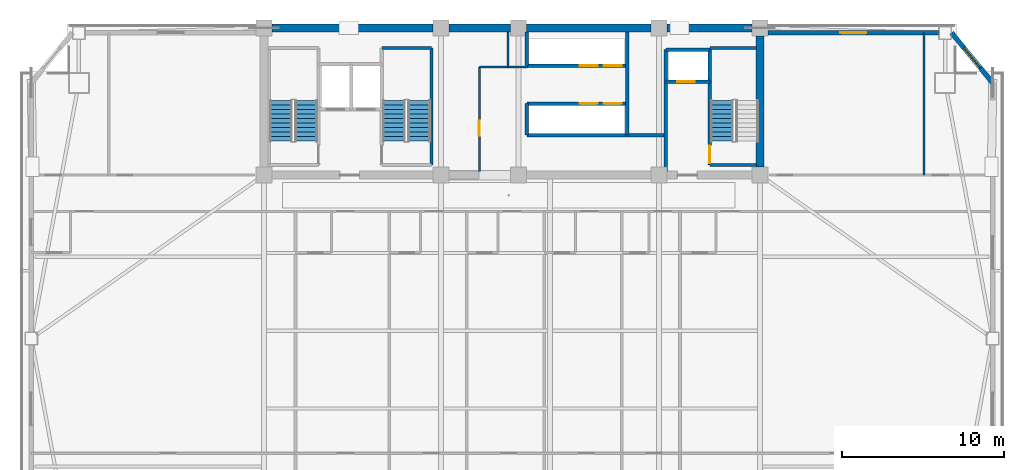
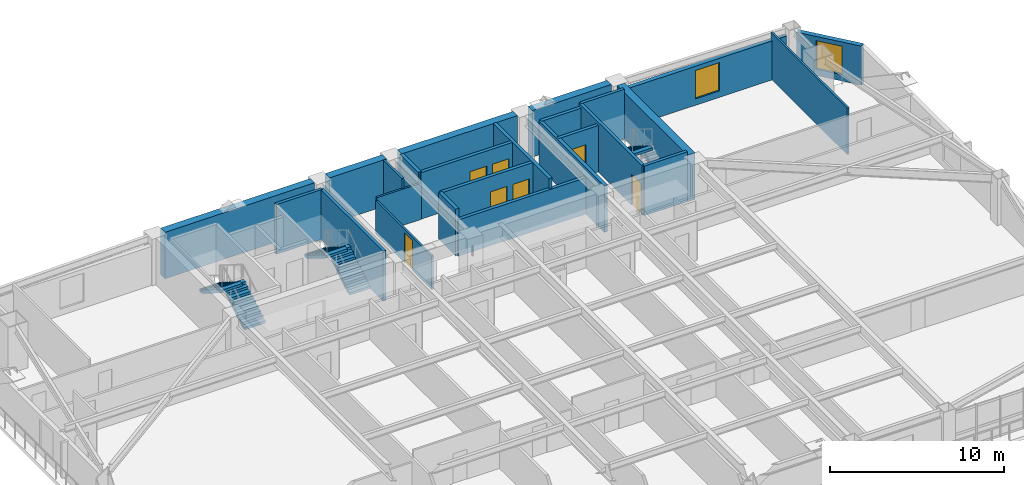
# One storey, part 10 of 15: 25 walls, 7 doors, 5 stair flights, 2 windows, 9 openings, 3 elements without a shape of their own.
"""IFC4 building model written with IfcOpenShell, lengths in metres."""

from ifc_helpers import new_model, si_unit, direction, frame, frame_2d, origin, place, context, subcontext, project, spatial, polyline, rectangle, outline, extrude, source, transform, mapped, material, layer, layer_set, type_object, element, fill, aggregate, save


model = new_model("IFC4")

# Units and contexts
model_context = context("Model", 3, precision=1e-05, world=origin(), true_north=direction((0.0, 1.0)))
body_context = subcontext(model_context, "Body", "Model", "MODEL_VIEW")
ifc_project = project(units=[si_unit("LENGTHUNIT", "METRE"), si_unit("AREAUNIT", "SQUARE_METRE"), si_unit("VOLUMEUNIT", "CUBIC_METRE"), si_unit("PLANEANGLEUNIT", "RADIAN"), si_unit("MASSUNIT", "GRAM", prefix="KILO")], contexts=[model_context])

# Site, building, storey
site_placement = place(None, origin())
site = spatial("IfcSite", under=ifc_project, at=site_placement, CompositionType="ELEMENT")
building_placement = place(site_placement, origin())
building = spatial("IfcBuilding", under=site, at=building_placement, Name="Giltprow Tower", CompositionType="ELEMENT")
storey_placement = place(building_placement, frame((0.0, 0.0, 149.199951171875)))
storey = spatial("IfcBuildingStorey", under=building, at=storey_placement, Name="L36", CompositionType="ELEMENT", Elevation=149.199951171875)

# Wall, opening, window
ifc_material_1 = material(Name="Precast concrete C40", Category="concrete")
ifc_layer_1 = layer(ifc_material_1, 0.300048828125, Name="Precast concrete C40")
ifc_layer_set_1 = layer_set([ifc_layer_1], Name="Precast concrete C40")
wall_type_1 = type_object("IfcWallType", Name="EW-NOTCH-CHAMFER-300", PredefinedType="SOLIDWALL", material=ifc_layer_set_1)
wall_1_placement = place(storey_placement, frame((64.950927734375, 43.160888671875, 0.0), z_axis=(0.0, 0.0, 1.0), x_axis=(-0.63493861858, 0.772562586873, 0.0)))
wall_1 = element("IfcWall", 1, at=wall_1_placement, inside=storey, type_object=wall_type_1, Name="L36 Corner Notch Wall NE", PredefinedType="SOLIDWALL", context=body_context, shape_type="SweptSolid", body=[
    extrude(rectangle(XDim=3.99853515625, YDim=0.300048828125, at=frame_2d((1.999267578125, 0.0))), origin(), (0.0, 0.0, 1.0), 2.75),
])
opening_1_placement = place(wall_1_placement, frame((1.198974609375, 0.0, 0.449951171875)))
opening_1 = element("IfcOpeningElement", 2, at=opening_1_placement, cuts=wall_1, Name="Opening WN17", PredefinedType="OPENING", context=body_context, shape_type="SweptSolid", body=[
    extrude(rectangle(XDim=1.60009765625, YDim=2.0, at=frame_2d((0.800048828125, 1.0))), frame((0.0, 0.159912109375, 0.0), z_axis=(0.0, -1.0, 0.0), x_axis=(1.0, 0.0, 0.0)), (0.0, 0.0, 1.0), 0.320068359375),
])
ifc_material_2 = material(Name="Insulated glass", Category="glass")
window_type = type_object("IfcWindowType", Name="WN-COR-1600x2000", PartitioningType="SINGLE_PANEL", PredefinedType="WINDOW", material=ifc_material_2)
shared_shape_1 = source(origin(), body_context, "Body", "SweptSolid", [
    extrude(rectangle(XDim=1.60009765625, YDim=2.0, at=frame_2d((0.800048828125, 1.0))), frame((0.0, 0.030029296875, 0.0), z_axis=(0.0, -1.0, 0.0), x_axis=(1.0, 0.0, 0.0)), (0.0, 0.0, 1.0), 0.06005859375),
])
window_1_placement = place(opening_1_placement, origin())
window_1 = element("IfcWindow", 3, at=window_1_placement, inside=storey, type_object=window_type, Name="L36 Corner Notch Window NE", OverallHeight=2.0, OverallWidth=1.60009765625, PartitioningType="SINGLE_PANEL", PredefinedType="WINDOW", context=body_context, shape_type="MappedRepresentation", body=[
    mapped(shared_shape_1, transform((0.0, 0.0, 0.0), x_axis=(1.0, 0.0, 0.0), y_axis=(0.0, 1.0, 0.0), z_axis=(0.0, 0.0, 1.0), scale=1.0)),
])
fill(opening_1, window_1)

ifc_layer_2 = layer(ifc_material_1, 0.280029296875, Name="Precast concrete C40")
ifc_layer_set_2 = layer_set([ifc_layer_2], Name="Precast concrete C40")
wall_type_2 = type_object("IfcWallType", Name="EW-TOW-BRONZE-280", PredefinedType="SOLIDWALL", material=ifc_layer_set_2)
wall_2_placement = place(storey_placement, frame((51.050048828125, 46.25, 0.0), z_axis=(0.0, 0.0, 1.0), x_axis=(1.0, 0.0, 0.0)))
wall_2 = element("IfcWall", 4, at=wall_2_placement, inside=storey, type_object=wall_type_2, Name="L36 North-East Wing Wall", PredefinedType="SOLIDWALL", context=body_context, shape_type="SweptSolid", body=[
    extrude(rectangle(XDim=10.56201171875, YDim=0.280029296875, at=frame_2d((5.281005859375, 0.0))), origin(), (0.0, 0.0, 1.0), 2.75),
])
opening_2_placement = place(wall_2_placement, frame((4.48095703125, 0.0, 0.449951171875)))
opening_2 = element("IfcOpeningElement", 5, at=opening_2_placement, cuts=wall_2, Name="Opening WN17", PredefinedType="OPENING", context=body_context, shape_type="SweptSolid", body=[
    extrude(rectangle(XDim=1.60009765625, YDim=2.0, at=frame_2d((0.800048828125, 1.0))), frame((0.0, 0.14990234375, 0.0), z_axis=(0.0, -1.0, 0.0), x_axis=(1.0, 0.0, 0.0)), (0.0, 0.0, 1.0), 0.300048828125),
])
window_2_placement = place(opening_2_placement, origin())
window_2 = element("IfcWindow", 6, at=window_2_placement, inside=storey, type_object=window_type, Name="L36 North-East Window", OverallHeight=2.0, OverallWidth=1.60009765625, PartitioningType="SINGLE_PANEL", PredefinedType="WINDOW", context=body_context, shape_type="MappedRepresentation", body=[
    mapped(shared_shape_1, transform((0.0, 0.0, 0.0), x_axis=(1.0, 0.0, 0.0), y_axis=(0.0, 1.0, 0.0), z_axis=(0.0, 0.0, 1.0), scale=1.0)),
])
fill(opening_2, window_2)

# Wall, opening, door
ifc_material_3 = material(Name="Concrete C40", Category="concrete")
ifc_layer_3 = layer(ifc_material_3, 0.219970703125, Name="Concrete C40")
ifc_layer_set_3 = layer_set([ifc_layer_3], Name="Concrete C40")
wall_type_3 = type_object("IfcWallType", Name="IW-SHAFT-220", PredefinedType="SOLIDWALL", material=ifc_layer_set_3)
wall_3_placement = place(storey_placement, frame((44.719970703125, 43.219970703125, 0.0), z_axis=(0.0, 0.0, 1.0), x_axis=(1.0, 0.0, 0.0)))
wall_3 = element("IfcWall", 7, at=wall_3_placement, inside=storey, type_object=wall_type_3, Name="L36 FFL2 Front Shaft Wall", PredefinedType="SOLIDWALL", context=body_context, shape_type="SweptSolid", body=[
    extrude(rectangle(XDim=2.719970703125, YDim=0.219970703125, at=frame_2d((1.35986328125, 0.0))), origin(), (0.0, 0.0, 1.0), 3.27001953125),
])
opening_3_placement = place(wall_3_placement, frame((0.699951171875, 0.0, 0.0)))
opening_3 = element("IfcOpeningElement", 8, at=opening_3_placement, cuts=wall_3, Name="Opening LD-11", PredefinedType="OPENING", context=body_context, shape_type="SweptSolid", body=[
    extrude(rectangle(XDim=1.10009765625, YDim=2.199951171875, at=frame_2d((0.550048828125, 1.10009765625))), frame((0.0, 0.119873046875, 0.0), z_axis=(0.0, -1.0, 0.0), x_axis=(1.0, 0.0, 0.0)), (0.0, 0.0, 1.0), 0.239990234375),
])
ifc_material_4 = material(Name="Stainless steel", Category="steel")
door_type_1 = type_object("IfcDoorType", Name="DR-LIFT-LD1100", OperationType="SLIDING_TO_LEFT", PredefinedType="DOOR", material=ifc_material_4)
shared_shape_2 = source(origin(), body_context, "Body", "SweptSolid", [
    extrude(rectangle(XDim=1.10009765625, YDim=2.199951171875, at=frame_2d((0.550048828125, 1.10009765625))), frame((0.0, 0.02490234375, 0.0), z_axis=(0.0, -1.0, 0.0), x_axis=(1.0, 0.0, 0.0)), (0.0, 0.0, 1.0), 0.050048828125),
])
door_1_placement = place(opening_3_placement, origin())
door_1 = element("IfcDoor", 9, at=door_1_placement, inside=storey, type_object=door_type_1, Name="L36 FFL2 Landing Door", OperationType="SLIDING_TO_LEFT", OverallHeight=2.199951171875, OverallWidth=1.10009765625, PredefinedType="DOOR", context=body_context, shape_type="MappedRepresentation", body=[
    mapped(shared_shape_2, transform((0.0, 0.0, 0.0), x_axis=(1.0, 0.0, 0.0), y_axis=(0.0, 1.0, 0.0), z_axis=(0.0, 0.0, 1.0), scale=1.0)),
])
fill(opening_3, door_1)

# Walls
wall_4_placement = place(storey_placement, frame((44.719970703125, 45.219970703125, 0.0), z_axis=(0.0, 0.0, 1.0), x_axis=(1.0, 0.0, 0.0)))
element("IfcWall", 10, at=wall_4_placement, inside=storey, type_object=wall_type_3, Name="L36 FFL2 Back Shaft Wall", PredefinedType="SOLIDWALL", context=body_context, shape_type="SweptSolid", body=[
    extrude(rectangle(XDim=2.719970703125, YDim=0.219970703125, at=frame_2d((1.35986328125, 0.0))), origin(), (0.0, 0.0, 1.0), 3.27001953125),
])
wall_5_placement = place(storey_placement, frame((44.719970703125, 37.679931640625, 0.0), z_axis=(0.0, 0.0, 1.0), x_axis=(0.0, 1.0, 0.0)))
element("IfcWall", 11, at=wall_5_placement, inside=storey, type_object=wall_type_3, Name="L36 East Firefighting Lobby West Wall", PredefinedType="SOLIDWALL", context=body_context, shape_type="SweptSolid", body=[
    extrude(rectangle(XDim=7.5400390625, YDim=0.219970703125, at=frame_2d((3.77001953125, 0.0))), origin(), (0.0, 0.0, 1.0), 3.27001953125),
])

# Wall, openings, doors
wall_6_placement = place(storey_placement, frame((36.1201171875, 44.219970703125, 0.0), z_axis=(0.0, 0.0, 1.0), x_axis=(1.0, 0.0, 0.0)))
wall_6 = element("IfcWall", 12, at=wall_6_placement, inside=storey, type_object=wall_type_3, Name="L36 Mid-Rise Lift Shaft Front Wall N", PredefinedType="SOLIDWALL", context=body_context, shape_type="SweptSolid", body=[
    extrude(rectangle(XDim=6.199951171875, YDim=0.219970703125, at=frame_2d((3.10009765625, 0.0))), origin(), (0.0, 0.0, 1.0), 3.27001953125),
])
opening_4_placement = place(wall_6_placement, frame((3.280029296875, 0.0, 0.0)))
opening_4 = element("IfcOpeningElement", 13, at=opening_4_placement, cuts=wall_6, Name="Opening LD-11", PredefinedType="OPENING", context=body_context, shape_type="SweptSolid", body=[
    extrude(rectangle(XDim=1.10009765625, YDim=2.199951171875, at=frame_2d((0.550048828125, 1.10009765625))), frame((0.0, 0.119873046875, 0.0), z_axis=(0.0, -1.0, 0.0), x_axis=(1.0, 0.0, 0.0)), (0.0, 0.0, 1.0), 0.239990234375),
])
opening_5_placement = place(wall_6_placement, frame((4.77001953125, 0.0, 0.0)))
opening_5 = element("IfcOpeningElement", 14, at=opening_5_placement, cuts=wall_6, Name="Opening LD-11", PredefinedType="OPENING", context=body_context, shape_type="SweptSolid", body=[
    extrude(rectangle(XDim=1.10009765625, YDim=2.199951171875, at=frame_2d((0.550048828125, 1.10009765625))), frame((0.0, 0.119873046875, 0.0), z_axis=(0.0, -1.0, 0.0), x_axis=(1.0, 0.0, 0.0)), (0.0, 0.0, 1.0), 0.239990234375),
])
door_2_placement = place(opening_4_placement, origin())
door_2 = element("IfcDoor", 15, at=door_2_placement, inside=storey, type_object=door_type_1, Name="L36 PL-M1 Landing Door", OperationType="SLIDING_TO_LEFT", OverallHeight=2.199951171875, OverallWidth=1.10009765625, PredefinedType="DOOR", context=body_context, shape_type="MappedRepresentation", body=[
    mapped(shared_shape_2, transform((0.0, 0.0, 0.0), x_axis=(1.0, 0.0, 0.0), y_axis=(0.0, 1.0, 0.0), z_axis=(0.0, 0.0, 1.0), scale=1.0)),
])
fill(opening_4, door_2)
door_3_placement = place(opening_5_placement, origin())
door_3 = element("IfcDoor", 16, at=door_3_placement, inside=storey, type_object=door_type_1, Name="L36 PL-M2 Landing Door", OperationType="SLIDING_TO_LEFT", OverallHeight=2.199951171875, OverallWidth=1.10009765625, PredefinedType="DOOR", context=body_context, shape_type="MappedRepresentation", body=[
    mapped(shared_shape_2, transform((0.0, 0.0, 0.0), x_axis=(1.0, 0.0, 0.0), y_axis=(0.0, 1.0, 0.0), z_axis=(0.0, 0.0, 1.0), scale=1.0)),
])
fill(opening_5, door_3)

wall_7_placement = place(storey_placement, frame((36.1201171875, 41.8798828125, 0.0), z_axis=(0.0, 0.0, 1.0), x_axis=(1.0, 0.0, 0.0)))
wall_7 = element("IfcWall", 17, at=wall_7_placement, inside=storey, type_object=wall_type_3, Name="L36 Mid-Rise Lift Shaft Front Wall S", PredefinedType="SOLIDWALL", context=body_context, shape_type="SweptSolid", body=[
    extrude(rectangle(XDim=6.199951171875, YDim=0.219970703125, at=frame_2d((3.10009765625, 0.0))), origin(), (0.0, 0.0, 1.0), 3.27001953125),
])
opening_6_placement = place(wall_7_placement, frame((3.280029296875, 0.0, 0.0)))
opening_6 = element("IfcOpeningElement", 18, at=opening_6_placement, cuts=wall_7, Name="Opening LD-11", PredefinedType="OPENING", context=body_context, shape_type="SweptSolid", body=[
    extrude(rectangle(XDim=1.10009765625, YDim=2.199951171875, at=frame_2d((0.550048828125, 1.10009765625))), frame((0.0, 0.119873046875, 0.0), z_axis=(0.0, -1.0, 0.0), x_axis=(1.0, 0.0, 0.0)), (0.0, 0.0, 1.0), 0.239990234375),
])
opening_7_placement = place(wall_7_placement, frame((4.77001953125, 0.0, 0.0)))
opening_7 = element("IfcOpeningElement", 19, at=opening_7_placement, cuts=wall_7, Name="Opening LD-11", PredefinedType="OPENING", context=body_context, shape_type="SweptSolid", body=[
    extrude(rectangle(XDim=1.10009765625, YDim=2.199951171875, at=frame_2d((0.550048828125, 1.10009765625))), frame((0.0, 0.119873046875, 0.0), z_axis=(0.0, -1.0, 0.0), x_axis=(1.0, 0.0, 0.0)), (0.0, 0.0, 1.0), 0.239990234375),
])
door_4_placement = place(opening_6_placement, origin())
door_4 = element("IfcDoor", 20, at=door_4_placement, inside=storey, type_object=door_type_1, Name="L36 PL-M3 Landing Door", OperationType="SLIDING_TO_LEFT", OverallHeight=2.199951171875, OverallWidth=1.10009765625, PredefinedType="DOOR", context=body_context, shape_type="MappedRepresentation", body=[
    mapped(shared_shape_2, transform((0.0, 0.0, 0.0), x_axis=(1.0, 0.0, 0.0), y_axis=(0.0, 1.0, 0.0), z_axis=(0.0, 0.0, 1.0), scale=1.0)),
])
fill(opening_6, door_4)
door_5_placement = place(opening_7_placement, origin())
door_5 = element("IfcDoor", 21, at=door_5_placement, inside=storey, type_object=door_type_1, Name="L36 PL-M4 Landing Door", OperationType="SLIDING_TO_LEFT", OverallHeight=2.199951171875, OverallWidth=1.10009765625, PredefinedType="DOOR", context=body_context, shape_type="MappedRepresentation", body=[
    mapped(shared_shape_2, transform((0.0, 0.0, 0.0), x_axis=(1.0, 0.0, 0.0), y_axis=(0.0, 1.0, 0.0), z_axis=(0.0, 0.0, 1.0), scale=1.0)),
])
fill(opening_7, door_5)

# Walls
wall_8_placement = place(storey_placement, frame((36.1201171875, 39.919921875, 0.0), z_axis=(0.0, 0.0, 1.0), x_axis=(1.0, 0.0, 0.0)))
element("IfcWall", 22, at=wall_8_placement, inside=storey, type_object=wall_type_3, Name="L36 Mid-Rise South Lift Back Wall", PredefinedType="SOLIDWALL", context=body_context, shape_type="SweptSolid", body=[
    extrude(rectangle(XDim=8.599853515625, YDim=0.219970703125, at=frame_2d((4.2998046875, 0.0))), origin(), (0.0, 0.0, 1.0), 2.554931640625),
])
wall_9_placement = place(storey_placement, frame((42.320068359375, 39.919921875, 0.0), z_axis=(0.0, 0.0, 1.0), x_axis=(0.0, 1.0, 0.0)))
element("IfcWall", 23, at=wall_9_placement, inside=storey, type_object=wall_type_3, Name="L36 Mid-Rise Lift Bank East Closure", PredefinedType="SOLIDWALL", context=body_context, shape_type="SweptSolid", body=[
    extrude(rectangle(XDim=6.400146484375, YDim=0.219970703125, at=frame_2d((3.2001953125, 0.0))), origin(), (0.0, 0.0, 1.0), 3.27001953125),
])
wall_10_placement = place(storey_placement, frame((36.1201171875, 39.919921875, 0.0), z_axis=(0.0, 0.0, 1.0), x_axis=(0.0, 1.0, 0.0)))
element("IfcWall", 24, at=wall_10_placement, inside=storey, type_object=wall_type_3, Name="L36 Mid-Rise South Lift West Closure", PredefinedType="SOLIDWALL", context=body_context, shape_type="SweptSolid", body=[
    extrude(rectangle(XDim=1.9599609375, YDim=0.219970703125, at=frame_2d((0.97998046875, 0.0))), origin(), (0.0, 0.0, 1.0), 3.27001953125),
])
wall_11_placement = place(storey_placement, frame((36.1201171875, 44.219970703125, 0.0), z_axis=(0.0, 0.0, 1.0), x_axis=(0.0, 1.0, 0.0)))
element("IfcWall", 25, at=wall_11_placement, inside=storey, type_object=wall_type_3, Name="L36 Mid-Rise North Lift West Closure", PredefinedType="SOLIDWALL", context=body_context, shape_type="SweptSolid", body=[
    extrude(rectangle(XDim=2.10009765625, YDim=0.219970703125, at=frame_2d((1.050048828125, 0.0))), origin(), (0.0, 0.0, 1.0), 3.27001953125),
])
ifc_layer_4 = layer(ifc_material_3, 0.199951171875, Name="Concrete C40")
ifc_layer_set_4 = layer_set([ifc_layer_4], Name="Concrete C40")
wall_type_4 = type_object("IfcWallType", Name="IW-STAIR-200", PredefinedType="SOLIDWALL", material=ifc_layer_set_4)
wall_12_placement = place(storey_placement, frame((30.219970703125, 38.070068359375, 0.0), z_axis=(0.0, 0.0, 1.0), x_axis=(0.0, 1.0, 0.0)))
element("IfcWall", 26, at=wall_12_placement, inside=storey, type_object=wall_type_4, Name="L36 Stair ST-2 East Bearing Wall", PredefinedType="SOLIDWALL", context=body_context, shape_type="SweptSolid", body=[
    extrude(rectangle(XDim=7.25, YDim=0.199951171875, at=frame_2d((3.625, 0.0))), origin(), (0.0, 0.0, 1.0), 3.5),
])
wall_13_placement = place(storey_placement, frame((27.139892578125, 45.320068359375, 0.0), z_axis=(0.0, 0.0, 1.0), x_axis=(1.0, 0.0, 0.0)))
element("IfcWall", 27, at=wall_13_placement, inside=storey, type_object=wall_type_4, Name="L36 Stair ST-2 North Bearing Wall", PredefinedType="SOLIDWALL", context=body_context, shape_type="SweptSolid", body=[
    extrude(rectangle(XDim=3.080078125, YDim=0.199951171875, at=frame_2d((1.5400390625, 0.0))), origin(), (0.0, 0.0, 1.0), 3.5),
])

# Wall, opening, door
wall_14_placement = place(storey_placement, frame((47.43994140625, 38.070068359375, 0.0), z_axis=(0.0, 0.0, 1.0), x_axis=(0.0, 1.0, 0.0)))
wall_14 = element("IfcWall", 28, at=wall_14_placement, inside=storey, type_object=wall_type_4, Name="L36 Stair ST-3 West Bearing Wall", PredefinedType="SOLIDWALL", context=body_context, shape_type="SweptSolid", body=[
    extrude(rectangle(XDim=7.25, YDim=0.199951171875, at=frame_2d((3.625, 0.0))), origin(), (0.0, 0.0, 1.0), 3.5),
])
opening_8_placement = place(wall_14_placement, frame((0.110107421875, 0.0, 0.0)))
opening_8 = element("IfcOpeningElement", 29, at=opening_8_placement, cuts=wall_14, Name="Opening ID33", PredefinedType="OPENING", context=body_context, shape_type="SweptSolid", body=[
    extrude(rectangle(XDim=1.10009765625, YDim=2.14990234375, at=frame_2d((0.550048828125, 1.074951171875))), frame((0.0, 0.10986328125, 0.0), z_axis=(0.0, -1.0, 0.0), x_axis=(1.0, 0.0, 0.0)), (0.0, 0.0, 1.0), 0.219970703125),
])
ifc_material_5 = material(Name="Steel fire leaf", Category="steel")
door_type_2 = type_object("IfcDoorType", Name="DR-STAIR-1100", OperationType="SINGLE_SWING_LEFT", PredefinedType="DOOR", material=ifc_material_5)
shared_shape_3 = source(origin(), body_context, "Body", "SweptSolid", [
    extrude(rectangle(XDim=1.10009765625, YDim=2.14990234375, at=frame_2d((0.550048828125, 1.074951171875))), frame((0.0, 0.02490234375, 0.0), z_axis=(0.0, -1.0, 0.0), x_axis=(1.0, 0.0, 0.0)), (0.0, 0.0, 1.0), 0.050048828125),
])
door_6_placement = place(opening_8_placement, origin())
door_6 = element("IfcDoor", 30, at=door_6_placement, inside=storey, type_object=door_type_2, Name="L36 Stair ST-3 Fire Door", OperationType="SINGLE_SWING_RIGHT", OverallHeight=2.14990234375, OverallWidth=1.10009765625, PredefinedType="DOOR", context=body_context, shape_type="MappedRepresentation", body=[
    mapped(shared_shape_3, transform((0.0, 0.0, 0.0), x_axis=(1.0, 0.0, 0.0), y_axis=(0.0, 1.0, 0.0), z_axis=(0.0, 0.0, 1.0), scale=1.0)),
])
fill(opening_8, door_6)

# Walls
for number, where, z_axis, x_axis, name in (
    (31, (47.43994140625, 45.320068359375, 0.0), (0.0, 0.0, 1.0), (1.0, 0.0, 0.0), "L36 Stair ST-3 North Bearing Wall"),
    (32, (47.43994140625, 38.070068359375, 0.0), (0.0, 0.0, 1.0), (1.0, 0.0, 0.0), "L36 Stair ST-3 South Bearing Wall"),
):
    element("IfcWall", number, at=place(storey_placement, frame(where, z_axis=z_axis, x_axis=x_axis)), inside=storey, type_object=wall_type_4, Name=name, PredefinedType="SOLIDWALL", context=body_context, shape_type="SweptSolid", body=[
        extrude(rectangle(XDim=2.880126953125, YDim=0.199951171875, at=frame_2d((1.43994140625, 0.0))), origin(), (0.0, 0.0, 1.0), 3.5),
    ])

# Wall, opening, door
ifc_material_6 = material(Name="Concrete C30", Category="concrete")
ifc_layer_5 = layer(ifc_material_6, 0.1298828125, Name="Concrete C30")
ifc_layer_set_5 = layer_set([ifc_layer_5], Name="Concrete C30")
wall_type_5 = type_object("IfcWallType", Name="IW-WET-130", PredefinedType="PARTITIONING", material=ifc_layer_set_5)
wall_15_placement = place(storey_placement, frame((33.179931640625, 37.679931640625, 0.0), z_axis=(0.0, 0.0, 1.0), x_axis=(0.0, 1.0, 0.0)))
wall_15 = element("IfcWall", 33, at=wall_15_placement, inside=storey, type_object=wall_type_5, Name="L36 Reclaimed Core Room East Wall", PredefinedType="PARTITIONING", context=body_context, shape_type="SweptSolid", body=[
    extrude(rectangle(XDim=6.469970703125, YDim=0.1298828125, at=frame_2d((3.23486328125, 0.0))), origin(), (0.0, 0.0, 1.0), 2.35498046875),
])
opening_9_placement = place(wall_15_placement, frame((2.219970703125, 0.0, 0.0)))
opening_9 = element("IfcOpeningElement", 34, at=opening_9_placement, cuts=wall_15, Name="Opening ID35", PredefinedType="OPENING", context=body_context, shape_type="SweptSolid", body=[
    extrude(rectangle(XDim=0.89990234375, YDim=2.10009765625, at=frame_2d((0.449951171875, 1.050048828125))), frame((0.0, 0.074951171875, 0.0), z_axis=(0.0, -1.0, 0.0), x_axis=(1.0, 0.0, 0.0)), (0.0, 0.0, 1.0), 0.14990234375),
])
door_type_3 = type_object("IfcDoorType", Name="DR-SHAFT-900", OperationType="SINGLE_SWING_LEFT", PredefinedType="DOOR", material=ifc_material_5)
shared_shape_4 = source(origin(), body_context, "Body", "SweptSolid", [
    extrude(rectangle(XDim=0.89990234375, YDim=2.10009765625, at=frame_2d((0.449951171875, 1.050048828125))), frame((0.0, 0.02490234375, 0.0), z_axis=(0.0, -1.0, 0.0), x_axis=(1.0, 0.0, 0.0)), (0.0, 0.0, 1.0), 0.050048828125),
])
door_7_placement = place(opening_9_placement, origin())
door_7 = element("IfcDoor", 35, at=door_7_placement, inside=storey, type_object=door_type_3, Name="L36 Housekeeping and Linen Room Door", OperationType="SINGLE_SWING_LEFT", OverallHeight=2.10009765625, OverallWidth=0.89990234375, PredefinedType="DOOR", context=body_context, shape_type="MappedRepresentation", body=[
    mapped(shared_shape_4, transform((0.0, 0.0, 0.0), x_axis=(1.0, 0.0, 0.0), y_axis=(0.0, 1.0, 0.0), z_axis=(0.0, 0.0, 1.0), scale=1.0)),
])
fill(opening_9, door_7)

# Walls
wall_16_placement = place(storey_placement, frame((34.949951171875, 44.14990234375, 0.0), z_axis=(0.0, 0.0, 1.0), x_axis=(0.0, 1.0, 0.0)))
element("IfcWall", 36, at=wall_16_placement, inside=storey, type_object=wall_type_5, Name="L36 Reclaimed North Pocket East Wall", PredefinedType="PARTITIONING", context=body_context, shape_type="SweptSolid", body=[
    extrude(rectangle(XDim=2.170166015625, YDim=0.1298828125, at=frame_2d((1.0849609375, 0.0))), origin(), (0.0, 0.0, 1.0), 3.27001953125),
])
wall_17_placement = place(storey_placement, frame((33.179931640625, 44.14990234375, 0.0), z_axis=(0.0, 0.0, 1.0), x_axis=(1.0, 0.0, 0.0)))
element("IfcWall", 37, at=wall_17_placement, inside=storey, type_object=wall_type_5, Name="L36 Reclaimed North Pocket South Wall", PredefinedType="PARTITIONING", context=body_context, shape_type="SweptSolid", body=[
    extrude(rectangle(XDim=2.969970703125, YDim=0.1298828125, at=frame_2d((1.48486328125, 0.0))), origin(), (0.0, 0.0, 1.0), 2.554931640625),
])
wall_18_placement = place(storey_placement, frame((60.700927734375, 37.449951171875, 0.0), z_axis=(0.0, 0.0, 1.0), x_axis=(0.0, 1.0, 0.0)))
element("IfcWall", 38, at=wall_18_placement, inside=storey, type_object=wall_type_5, Name="L36 NE Wing Divider", PredefinedType="PARTITIONING", context=body_context, shape_type="SweptSolid", body=[
    extrude(rectangle(XDim=8.800048828125, YDim=0.1298828125, at=frame_2d((4.39990234375, 0.0))), origin(), (0.0, 0.0, 1.0), 3.27001953125),
])
ifc_material_7 = material(Name="Concrete C50", Category="concrete")
ifc_layer_6 = layer(ifc_material_7, 0.5, Name="Concrete C50")
ifc_layer_set_6 = layer_set([ifc_layer_6], Name="Concrete C50")
wall_type_6 = type_object("IfcWallType", Name="SW-EXT-500-C50", PredefinedType="SHEAR", material=ifc_layer_set_6)
wall_19_placement = place(storey_placement, frame((20.35009765625, 46.550048828125, 0.0), z_axis=(0.0, 0.0, 1.0), x_axis=(1.0, 0.0, 0.0)))
element("IfcWall", 39, at=wall_19_placement, inside=storey, type_object=wall_type_6, Name="L36 North Rear Core Shear Wall 1", PredefinedType="SHEAR", context=body_context, shape_type="SweptSolid", body=[
    extrude(rectangle(XDim=9.949951171875, YDim=0.5, at=frame_2d((4.97509765625, 0.0))), origin(), (0.0, 0.0, 1.0), 3.27001953125),
])
wall_20_placement = place(storey_placement, frame((31.300048828125, 46.550048828125, 0.0), z_axis=(0.0, 0.0, 1.0), x_axis=(1.0, 0.0, 0.0)))
element("IfcWall", 40, at=wall_20_placement, inside=storey, type_object=wall_type_6, Name="L36 North Rear Core Shear Wall 2", PredefinedType="SHEAR", context=body_context, shape_type="SweptSolid", body=[
    extrude(rectangle(XDim=3.800048828125, YDim=0.5, at=frame_2d((1.89990234375, 0.0))), origin(), (0.0, 0.0, 1.0), 3.27001953125),
])
wall_21_placement = place(storey_placement, frame((36.10009765625, 46.550048828125, 0.0), z_axis=(0.0, 0.0, 1.0), x_axis=(1.0, 0.0, 0.0)))
element("IfcWall", 41, at=wall_21_placement, inside=storey, type_object=wall_type_6, Name="L36 North Rear Core Shear Wall 3", PredefinedType="SHEAR", context=body_context, shape_type="SweptSolid", body=[
    extrude(rectangle(XDim=7.699951171875, YDim=0.5, at=frame_2d((3.85009765625, 0.0))), origin(), (0.0, 0.0, 1.0), 3.27001953125),
])
wall_22_placement = place(storey_placement, frame((44.800048828125, 46.550048828125, 0.0), z_axis=(0.0, 0.0, 1.0), x_axis=(1.0, 0.0, 0.0)))
element("IfcWall", 42, at=wall_22_placement, inside=storey, type_object=wall_type_6, Name="L36 North Rear Core Shear Wall 4", PredefinedType="SHEAR", context=body_context, shape_type="SweptSolid", body=[
    extrude(rectangle(XDim=5.25, YDim=0.5, at=frame_2d((2.625, 0.0))), origin(), (0.0, 0.0, 1.0), 3.27001953125),
])
ifc_layer_7 = layer(ifc_material_7, 0.5, Name="Concrete C50")
ifc_layer_set_7 = layer_set([ifc_layer_7], Name="Concrete C50")
wall_type_7 = type_object("IfcWallType", Name="SW-INT-500-C50", PredefinedType="SHEAR", material=ifc_layer_set_7)
wall_23_placement = place(storey_placement, frame((50.550048828125, 37.949951171875, 0.0), z_axis=(0.0, 0.0, 1.0), x_axis=(0.0, 1.0, 0.0)))
element("IfcWall", 43, at=wall_23_placement, inside=storey, type_object=wall_type_7, Name="L36 E Rear Core Shear Wall", PredefinedType="SHEAR", context=body_context, shape_type="SweptSolid", body=[
    extrude(rectangle(XDim=8.10009765625, YDim=0.5, at=frame_2d((4.050048828125, 0.0))), origin(), (0.0, 0.0, 1.0), 3.27001953125),
])

# Stair, stair flights
stair_type_1 = type_object("IfcStairType", Name="STR-ST-1", PredefinedType="HALF_TURN_STAIR", material=ifc_material_3)
stair_1_placement = place(storey_placement, origin())
stair_1 = element("IfcStair", 44, at=stair_1_placement, inside=storey, type_object=stair_type_1, Name="L36 Core Exit Stair ST-1", PredefinedType="HALF_TURN_STAIR")
stair_flight_type_1 = type_object("IfcStairFlightType", Name="SFL-ST-1", PredefinedType="STRAIGHT", material=ifc_material_3)
stair_flight_1_placement = place(storey_placement, frame((22.4599609375, 39.550048828125, 0.0), z_axis=(0.0, 0.0, 1.0), x_axis=(0.0, 1.0, 0.0)))
stair_flight_1 = element("IfcStairFlight", 45, at=stair_flight_1_placement, type_object=stair_flight_type_1, Name="ST-1 flight 1", NumberOfRisers=10, NumberOfTreads=9, PredefinedType="STRAIGHT", RiserHeight=0.175, TreadLength=0.28, context=body_context, shape_type="SweptSolid", body=[
    extrude(outline(polyline([(0.0, 0.0), (0.0, 0.175048828125), (0.280029296875, 0.175048828125), (0.280029296875, 0.35009765625), (0.56005859375, 0.35009765625), (0.56005859375, 0.52490234375), (0.840087890625, 0.52490234375), (0.840087890625, 0.699951171875), (1.1201171875, 0.699951171875), (1.1201171875, 0.875), (1.39990234375, 0.875), (1.39990234375, 1.050048828125), (1.679931640625, 1.050048828125), (1.679931640625, 1.22509765625), (1.9599609375, 1.22509765625), (1.9599609375, 1.39990234375), (2.239990234375, 1.39990234375), (2.239990234375, 1.574951171875), (2.52001953125, 1.574951171875), (2.52001953125, 1.75), (2.52001953125, 1.398193359375), (0.28271484375, 0.0), (0.0, 0.0)])), frame((0.0, 0.699951171875, 0.0), z_axis=(0.0, -1.0, 0.0), x_axis=(1.0, 0.0, 0.0)), (0.0, 0.0, 1.0), 1.39990234375),
])
stair_flight_2_placement = place(storey_placement, frame((20.89990234375, 42.070068359375, 1.75), z_axis=(0.0, 0.0, 1.0), x_axis=(0.0, -1.0, 0.0)))
stair_flight_2 = element("IfcStairFlight", 46, at=stair_flight_2_placement, type_object=stair_flight_type_1, Name="ST-1 flight 2", NumberOfRisers=10, NumberOfTreads=9, PredefinedType="STRAIGHT", RiserHeight=0.175, TreadLength=0.28, context=body_context, shape_type="SweptSolid", body=[
    extrude(outline(polyline([(0.0, 0.0), (0.0, 0.175048828125), (0.280029296875, 0.175048828125), (0.280029296875, 0.35009765625), (0.56005859375, 0.35009765625), (0.56005859375, 0.52490234375), (0.840087890625, 0.52490234375), (0.840087890625, 0.699951171875), (1.1201171875, 0.699951171875), (1.1201171875, 0.875), (1.39990234375, 0.875), (1.39990234375, 1.050048828125), (1.679931640625, 1.050048828125), (1.679931640625, 1.22509765625), (1.9599609375, 1.22509765625), (1.9599609375, 1.39990234375), (2.239990234375, 1.39990234375), (2.239990234375, 1.574951171875), (2.52001953125, 1.574951171875), (2.52001953125, 1.75), (2.52001953125, 1.398193359375), (0.28271484375, 0.0), (0.0, 0.0)])), frame((0.0, 0.699951171875, 0.0), z_axis=(0.0, -1.0, 0.0), x_axis=(1.0, 0.0, 0.0)), (0.0, 0.0, 1.0), 1.39990234375),
])
aggregate(stair_1, [stair_flight_1, stair_flight_2])

stair_type_2 = type_object("IfcStairType", Name="STR-ST-2", PredefinedType="HALF_TURN_STAIR", material=ifc_material_3)
stair_2_placement = place(storey_placement, origin())
stair_2 = element("IfcStair", 47, at=stair_2_placement, inside=storey, type_object=stair_type_2, Name="L36 Core Exit Stair ST-2", PredefinedType="HALF_TURN_STAIR")
stair_flight_type_2 = type_object("IfcStairFlightType", Name="SFL-ST-2", PredefinedType="STRAIGHT", material=ifc_material_3)
stair_flight_3_placement = place(storey_placement, frame((29.4599609375, 39.550048828125, 0.0), z_axis=(0.0, 0.0, 1.0), x_axis=(0.0, 1.0, 0.0)))
stair_flight_3 = element("IfcStairFlight", 48, at=stair_flight_3_placement, type_object=stair_flight_type_2, Name="ST-2 flight 1", NumberOfRisers=10, NumberOfTreads=9, PredefinedType="STRAIGHT", RiserHeight=0.175, TreadLength=0.28, context=body_context, shape_type="SweptSolid", body=[
    extrude(outline(polyline([(0.0, 0.0), (0.0, 0.175048828125), (0.280029296875, 0.175048828125), (0.280029296875, 0.35009765625), (0.56005859375, 0.35009765625), (0.56005859375, 0.52490234375), (0.840087890625, 0.52490234375), (0.840087890625, 0.699951171875), (1.1201171875, 0.699951171875), (1.1201171875, 0.875), (1.39990234375, 0.875), (1.39990234375, 1.050048828125), (1.679931640625, 1.050048828125), (1.679931640625, 1.22509765625), (1.9599609375, 1.22509765625), (1.9599609375, 1.39990234375), (2.239990234375, 1.39990234375), (2.239990234375, 1.574951171875), (2.52001953125, 1.574951171875), (2.52001953125, 1.75), (2.52001953125, 1.398193359375), (0.28271484375, 0.0), (0.0, 0.0)])), frame((0.0, 0.699951171875, 0.0), z_axis=(0.0, -1.0, 0.0), x_axis=(1.0, 0.0, 0.0)), (0.0, 0.0, 1.0), 1.39990234375),
])
stair_flight_4_placement = place(storey_placement, frame((27.89990234375, 42.070068359375, 1.75), z_axis=(0.0, 0.0, 1.0), x_axis=(0.0, -1.0, 0.0)))
stair_flight_4 = element("IfcStairFlight", 49, at=stair_flight_4_placement, type_object=stair_flight_type_2, Name="ST-2 flight 2", NumberOfRisers=10, NumberOfTreads=9, PredefinedType="STRAIGHT", RiserHeight=0.175, TreadLength=0.28, context=body_context, shape_type="SweptSolid", body=[
    extrude(outline(polyline([(0.0, 0.0), (0.0, 0.175048828125), (0.280029296875, 0.175048828125), (0.280029296875, 0.35009765625), (0.56005859375, 0.35009765625), (0.56005859375, 0.52490234375), (0.840087890625, 0.52490234375), (0.840087890625, 0.699951171875), (1.1201171875, 0.699951171875), (1.1201171875, 0.875), (1.39990234375, 0.875), (1.39990234375, 1.050048828125), (1.679931640625, 1.050048828125), (1.679931640625, 1.22509765625), (1.9599609375, 1.22509765625), (1.9599609375, 1.39990234375), (2.239990234375, 1.39990234375), (2.239990234375, 1.574951171875), (2.52001953125, 1.574951171875), (2.52001953125, 1.75), (2.52001953125, 1.398193359375), (0.28271484375, 0.0), (0.0, 0.0)])), frame((0.0, 0.699951171875, 0.0), z_axis=(0.0, -1.0, 0.0), x_axis=(1.0, 0.0, 0.0)), (0.0, 0.0, 1.0), 1.39990234375),
])
aggregate(stair_2, [stair_flight_3, stair_flight_4])

# Stair, stair flight
stair_type_3 = type_object("IfcStairType", Name="STR-ST-3", PredefinedType="HALF_TURN_STAIR", material=ifc_material_3)
stair_3_placement = place(storey_placement, origin())
stair_3 = element("IfcStair", 50, at=stair_3_placement, inside=storey, type_object=stair_type_3, Name="L36 Core Exit Stair ST-3", PredefinedType="HALF_TURN_STAIR")
stair_flight_type_3 = type_object("IfcStairFlightType", Name="SFL-ST-3", PredefinedType="STRAIGHT", material=ifc_material_3)
stair_flight_5_placement = place(storey_placement, frame((48.199951171875, 42.070068359375, 1.75), z_axis=(0.0, 0.0, 1.0), x_axis=(0.0, -1.0, 0.0)))
stair_flight_5 = element("IfcStairFlight", 51, at=stair_flight_5_placement, type_object=stair_flight_type_3, Name="ST-3 flight 2", NumberOfRisers=10, NumberOfTreads=9, PredefinedType="STRAIGHT", RiserHeight=0.175, TreadLength=0.28, context=body_context, shape_type="SweptSolid", body=[
    extrude(outline(polyline([(0.0, 0.0), (0.0, 0.175048828125), (0.280029296875, 0.175048828125), (0.280029296875, 0.35009765625), (0.56005859375, 0.35009765625), (0.56005859375, 0.52490234375), (0.840087890625, 0.52490234375), (0.840087890625, 0.699951171875), (1.1201171875, 0.699951171875), (1.1201171875, 0.875), (1.39990234375, 0.875), (1.39990234375, 1.050048828125), (1.679931640625, 1.050048828125), (1.679931640625, 1.22509765625), (1.9599609375, 1.22509765625), (1.9599609375, 1.39990234375), (2.239990234375, 1.39990234375), (2.239990234375, 1.574951171875), (2.52001953125, 1.574951171875), (2.52001953125, 1.75), (2.52001953125, 1.398193359375), (0.28271484375, 0.0), (0.0, 0.0)])), frame((0.0, 0.699951171875, 0.0), z_axis=(0.0, -1.0, 0.0), x_axis=(1.0, 0.0, 0.0)), (0.0, 0.0, 1.0), 1.39990234375),
])
aggregate(stair_3, [stair_flight_5])

save(model, "model.ifc")
